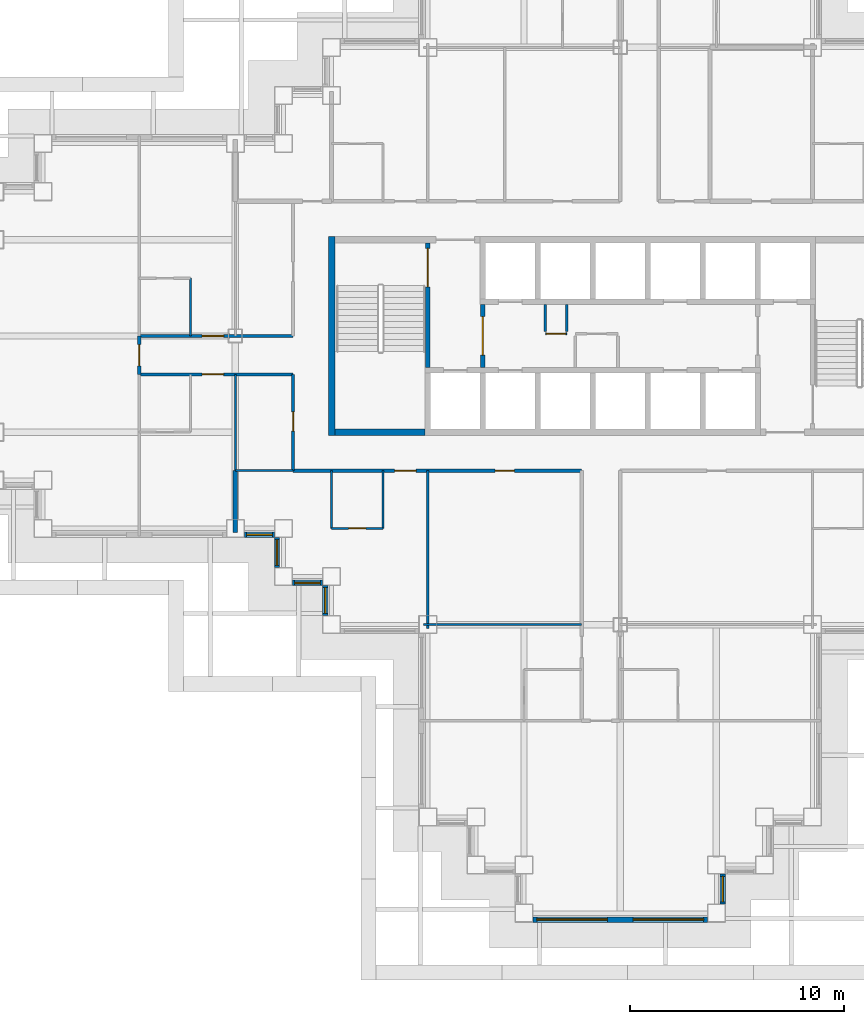
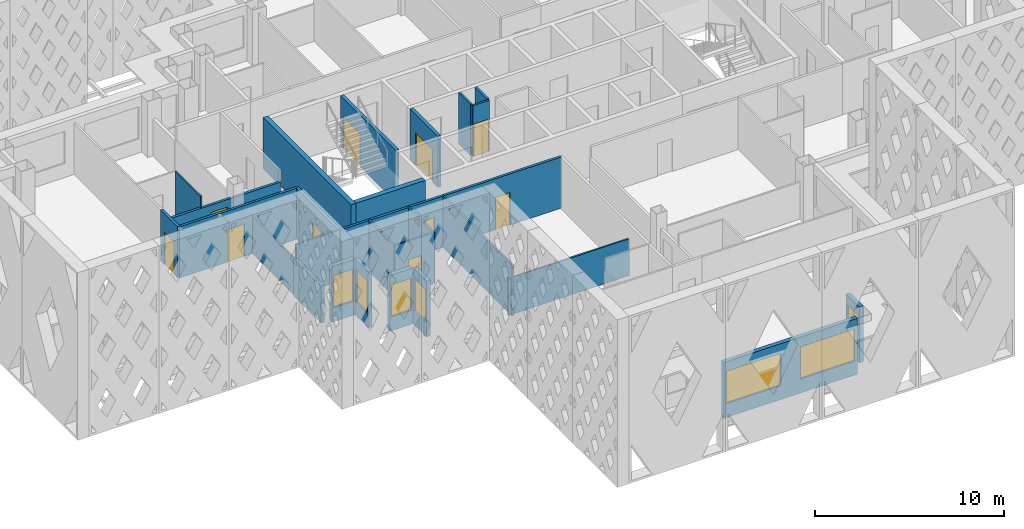
# One storey, part 5 of 21: 27 walls, 10 doors, 7 windows, 17 openings.
"""IFC4 building model written with IfcOpenShell, lengths in metres."""

from ifc_helpers import new_model, si_unit, direction, frame, frame_2d, origin, place, context, subcontext, project, spatial, rectangle, extrude, material, layer, layer_set, type_object, element, fill, save


model = new_model("IFC4")

# Units and contexts
model_context = context("Model", 3, precision=1e-05, world=origin(), true_north=direction((0.0, 1.0)))
body_context = subcontext(model_context, "Body", "Model", "MODEL_VIEW")
ifc_project = project(units=[si_unit("LENGTHUNIT", "METRE"), si_unit("AREAUNIT", "SQUARE_METRE"), si_unit("VOLUMEUNIT", "CUBIC_METRE"), si_unit("PLANEANGLEUNIT", "RADIAN"), si_unit("MASSUNIT", "GRAM", prefix="KILO")], contexts=[model_context])

# Site, building, storey
site_placement = place(None, origin())
site = spatial("IfcSite", under=ifc_project, at=site_placement, CompositionType="ELEMENT")
building_placement = place(site_placement, origin())
building = spatial("IfcBuilding", under=site, at=building_placement, Name="Caravel Reach Hotel and Residences", CompositionType="ELEMENT")
storey_placement = place(building_placement, frame((0.0, 0.0, 129.60009765625)))
storey = spatial("IfcBuildingStorey", under=building, at=storey_placement, Name="L32", CompositionType="ELEMENT", Elevation=129.60009765625)

# Wall, opening, door
ifc_material_1 = material(Name="Gypsum board on steel stud", Category="steel")
ifc_layer_1 = layer(ifc_material_1, 0.10009765625)
ifc_layer_set_1 = layer_set([ifc_layer_1], Name="Bathroom pod wall 100 mm")
wall_type_1 = type_object("IfcWallType", Name="Bathroom pod wall 100 mm", PredefinedType="PARTITIONING", material=ifc_layer_set_1)
wall_1_placement = place(storey_placement, frame((18.0, 18.0, 0.0), z_axis=(0.0, 0.0, 1.0), x_axis=(1.0, 0.0, 0.0)))
wall_1 = element("IfcWall", 1, at=wall_1_placement, inside=storey, type_object=wall_type_1, Name="L32 wall w069", PredefinedType="PARTITIONING", context=body_context, shape_type="SweptSolid", body=[
    extrude(rectangle(XDim=2.39990234375, YDim=0.10009765625, at=frame_2d((1.199951171875, 0.0))), origin(), (0.0, 0.0, 1.0), 3.2998046875),
])
opening_1_placement = place(wall_1_placement, frame((0.800048828125, 0.0, 0.0)))
opening_1 = element("IfcOpeningElement", 2, at=opening_1_placement, cuts=wall_1, Name="Opening D32-047", PredefinedType="OPENING", context=body_context, shape_type="SweptSolid", body=[
    extrude(rectangle(XDim=0.800048828125, YDim=2.10009765625, at=frame_2d((0.39990234375, 1.050048828125))), frame((0.0, 0.06005859375, 0.0), z_axis=(0.0, -1.0, 0.0), x_axis=(1.0, 0.0, 0.0)), (0.0, 0.0, 1.0), 0.1201171875),
])
ifc_material_2 = material(Name="Timber and steel door leaf", Category="steel")
door_type_1 = type_object("IfcDoorType", Name="Bathroom door 800 x 2100", OperationType="SINGLE_SWING_LEFT", PredefinedType="DOOR", material=ifc_material_2)
door_1_placement = place(opening_1_placement, origin())
door_1 = element("IfcDoor", 3, at=door_1_placement, inside=storey, type_object=door_type_1, Name="door D32-047", OperationType="SINGLE_SWING_LEFT", OverallHeight=2.10009765625, OverallWidth=0.800048828125, PredefinedType="DOOR", context=body_context, shape_type="SweptSolid", body=[
    extrude(rectangle(XDim=0.800048828125, YDim=2.10009765625, at=frame_2d((0.39990234375, 1.050048828125))), frame((0.0, 0.02490234375, 0.0), z_axis=(0.0, -1.0, 0.0), x_axis=(1.0, 0.0, 0.0)), (0.0, 0.0, 1.0), 0.050048828125),
])
fill(opening_1, door_1)

# Walls
for number, where, z_axis, x_axis, name in (
    (4, (11.39990234375, 27.0, 0.0), (0.0, 0.0, 1.0), (0.0, 1.0, 0.0), "L32 wall w081"),
    (5, (18.0, 18.0, 0.0), (0.0, 0.0, 1.0), (0.0, 1.0, 0.0), "L32 wall w083"),
    (6, (20.39990234375, 18.0, 0.0), (0.0, 0.0, 1.0), (0.0, 1.0, 0.0), "L32 wall w085"),
):
    element("IfcWall", number, at=place(storey_placement, frame(where, z_axis=z_axis, x_axis=x_axis)), inside=storey, type_object=wall_type_1, Name=name, PredefinedType="PARTITIONING", context=body_context, shape_type="SweptSolid", body=[
        extrude(rectangle(XDim=2.699951171875, YDim=0.10009765625, at=frame_2d((1.35009765625, 0.0))), origin(), (0.0, 0.0, 1.0), 3.2998046875),
    ])
ifc_material_3 = material(Name="Concrete C60", Category="concrete")
ifc_layer_2 = layer(ifc_material_3, 0.300048828125)
ifc_layer_set_2 = layer_set([ifc_layer_2], Name="Core wall 300 mm EI 120")
wall_type_2 = type_object("IfcWallType", Name="Core wall 300 mm EI 120", PredefinedType="SHEAR", material=ifc_layer_set_2)
wall_2_placement = place(storey_placement, frame((18.14990234375, 22.5, 0.0), z_axis=(0.0, 0.0, 1.0), x_axis=(1.0, 0.0, 0.0)))
element("IfcWall", 7, at=wall_2_placement, inside=storey, type_object=wall_type_2, Name="L32 core wall S1", PredefinedType="SHEAR", context=body_context, shape_type="SweptSolid", body=[
    extrude(rectangle(XDim=4.22509765625, YDim=0.300048828125, at=frame_2d((2.112548828125, 0.0))), origin(), (0.0, 0.0, 1.0), 3.2998046875),
])
wall_3_placement = place(storey_placement, frame((18.0, 22.35009765625, 0.0), z_axis=(0.0, 0.0, 1.0), x_axis=(0.0, 1.0, 0.0)))
element("IfcWall", 8, at=wall_3_placement, inside=storey, type_object=wall_type_2, Name="L32 core wall W", PredefinedType="SHEAR", context=body_context, shape_type="SweptSolid", body=[
    extrude(rectangle(XDim=9.2998046875, YDim=0.300048828125, at=frame_2d((4.64990234375, 0.0))), origin(), (0.0, 0.0, 1.0), 3.2998046875),
])

# Wall, openings, doors
ifc_material_4 = material(Name="Gypsum board on steel stud, fire-rated", Category="steel")
ifc_layer_3 = layer(ifc_material_4, 0.14990234375)
ifc_layer_set_3 = layer_set([ifc_layer_3], Name="Corridor wall 150 mm EI 60")
wall_type_3 = type_object("IfcWallType", Name="Corridor wall 150 mm EI 60", PredefinedType="PARTITIONING", material=ifc_layer_set_3)
wall_4_placement = place(storey_placement, frame((16.199951171875, 20.699951171875, 0.0), z_axis=(0.0, 0.0, 1.0), x_axis=(1.0, 0.0, 0.0)))
wall_4 = element("IfcWall", 9, at=wall_4_placement, inside=storey, type_object=wall_type_3, Name="L32 wall w001", PredefinedType="PARTITIONING", context=body_context, shape_type="SweptSolid", body=[
    extrude(rectangle(XDim=13.5, YDim=0.14990234375, at=frame_2d((6.75, 0.0))), origin(), (0.0, 0.0, 1.0), 3.2998046875),
])
opening_2_placement = place(wall_4_placement, frame((4.75, 0.0, 0.0)))
opening_2 = element("IfcOpeningElement", 10, at=opening_2_placement, cuts=wall_4, Name="Opening D32-046", PredefinedType="OPENING", context=body_context, shape_type="SweptSolid", body=[
    extrude(rectangle(XDim=1.0, YDim=2.10009765625, at=frame_2d((0.5, 1.050048828125))), frame((0.0, 0.0849609375, 0.0), z_axis=(0.0, -1.0, 0.0), x_axis=(1.0, 0.0, 0.0)), (0.0, 0.0, 1.0), 0.169921875),
])
opening_3_placement = place(wall_4_placement, frame((9.449951171875, 0.0, 0.0)))
opening_3 = element("IfcOpeningElement", 11, at=opening_3_placement, cuts=wall_4, Name="Opening D32-054", PredefinedType="OPENING", context=body_context, shape_type="SweptSolid", body=[
    extrude(rectangle(XDim=0.89990234375, YDim=2.10009765625, at=frame_2d((0.449951171875, 1.050048828125))), frame((0.0, 0.0849609375, 0.0), z_axis=(0.0, -1.0, 0.0), x_axis=(1.0, 0.0, 0.0)), (0.0, 0.0, 1.0), 0.169921875),
])
ifc_material_5 = material(Name="Timber and steel door leaf", Category="steel")
door_type_2 = type_object("IfcDoorType", Name="Door 900 x 2100 timber", OperationType="SINGLE_SWING_LEFT", PredefinedType="DOOR", material=ifc_material_5)
door_2_placement = place(opening_3_placement, origin())
door_2 = element("IfcDoor", 12, at=door_2_placement, inside=storey, type_object=door_type_2, Name="door D32-054", OperationType="SINGLE_SWING_LEFT", OverallHeight=2.10009765625, OverallWidth=0.89990234375, PredefinedType="DOOR", context=body_context, shape_type="SweptSolid", body=[
    extrude(rectangle(XDim=0.89990234375, YDim=2.10009765625, at=frame_2d((0.449951171875, 1.050048828125))), frame((0.0, 0.02490234375, 0.0), z_axis=(0.0, -1.0, 0.0), x_axis=(1.0, 0.0, 0.0)), (0.0, 0.0, 1.0), 0.050048828125),
])
fill(opening_3, door_2)
ifc_material_6 = material(Name="Steel fire door leaf", Category="steel")
door_type_3 = type_object("IfcDoorType", Name="Guest room door 1000 x 2100 EI 30", OperationType="SINGLE_SWING_LEFT", PredefinedType="DOOR", material=ifc_material_6)
door_3_placement = place(opening_2_placement, origin())
door_3 = element("IfcDoor", 13, at=door_3_placement, inside=storey, type_object=door_type_3, Name="door D32-046", OperationType="SINGLE_SWING_RIGHT", OverallHeight=2.10009765625, OverallWidth=1.0, PredefinedType="DOOR", context=body_context, shape_type="SweptSolid", body=[
    extrude(rectangle(XDim=1.0, YDim=2.10009765625, at=frame_2d((0.5, 1.050048828125))), frame((0.0, 0.02490234375, 0.0), z_axis=(0.0, -1.0, 0.0), x_axis=(1.0, 0.0, 0.0)), (0.0, 0.0, 1.0), 0.050048828125),
])
fill(opening_2, door_3)

# Wall, opening, door
wall_5_placement = place(storey_placement, frame((9.0, 25.199951171875, 0.0), z_axis=(0.0, 0.0, 1.0), x_axis=(1.0, 0.0, 0.0)))
wall_5 = element("IfcWall", 14, at=wall_5_placement, inside=storey, type_object=wall_type_3, Name="L32 wall w005", PredefinedType="PARTITIONING", context=body_context, shape_type="SweptSolid", body=[
    extrude(rectangle(XDim=7.199951171875, YDim=0.14990234375, at=frame_2d((3.60009765625, 0.0))), origin(), (0.0, 0.0, 1.0), 3.2998046875),
])
opening_4_placement = place(wall_5_placement, frame((2.949951171875, 0.0, 0.0)))
opening_4 = element("IfcOpeningElement", 15, at=opening_4_placement, cuts=wall_5, Name="Opening D32-016", PredefinedType="OPENING", context=body_context, shape_type="SweptSolid", body=[
    extrude(rectangle(XDim=1.0, YDim=2.10009765625, at=frame_2d((0.5, 1.050048828125))), frame((0.0, 0.0849609375, 0.0), z_axis=(0.0, -1.0, 0.0), x_axis=(1.0, 0.0, 0.0)), (0.0, 0.0, 1.0), 0.169921875),
])
door_4_placement = place(opening_4_placement, origin())
door_4 = element("IfcDoor", 16, at=door_4_placement, inside=storey, type_object=door_type_3, Name="door D32-016", OperationType="SINGLE_SWING_RIGHT", OverallHeight=2.10009765625, OverallWidth=1.0, PredefinedType="DOOR", context=body_context, shape_type="SweptSolid", body=[
    extrude(rectangle(XDim=1.0, YDim=2.10009765625, at=frame_2d((0.5, 1.050048828125))), frame((0.0, 0.02490234375, 0.0), z_axis=(0.0, -1.0, 0.0), x_axis=(1.0, 0.0, 0.0)), (0.0, 0.0, 1.0), 0.050048828125),
])
fill(opening_4, door_4)

wall_6_placement = place(storey_placement, frame((9.0, 27.0, 0.0), z_axis=(0.0, 0.0, 1.0), x_axis=(1.0, 0.0, 0.0)))
wall_6 = element("IfcWall", 17, at=wall_6_placement, inside=storey, type_object=wall_type_3, Name="L32 wall w009", PredefinedType="PARTITIONING", context=body_context, shape_type="SweptSolid", body=[
    extrude(rectangle(XDim=7.199951171875, YDim=0.14990234375, at=frame_2d((3.60009765625, 0.0))), origin(), (0.0, 0.0, 1.0), 2.579833984375),
])
opening_5_placement = place(wall_6_placement, frame((2.949951171875, 0.0, 0.0)))
opening_5 = element("IfcOpeningElement", 18, at=opening_5_placement, cuts=wall_6, Name="Opening D32-018", PredefinedType="OPENING", context=body_context, shape_type="SweptSolid", body=[
    extrude(rectangle(XDim=1.0, YDim=2.10009765625, at=frame_2d((0.5, 1.050048828125))), frame((0.0, 0.0849609375, 0.0), z_axis=(0.0, -1.0, 0.0), x_axis=(1.0, 0.0, 0.0)), (0.0, 0.0, 1.0), 0.169921875),
])
door_5_placement = place(opening_5_placement, origin())
door_5 = element("IfcDoor", 19, at=door_5_placement, inside=storey, type_object=door_type_3, Name="door D32-018", OperationType="SINGLE_SWING_RIGHT", OverallHeight=2.10009765625, OverallWidth=1.0, PredefinedType="DOOR", context=body_context, shape_type="SweptSolid", body=[
    extrude(rectangle(XDim=1.0, YDim=2.10009765625, at=frame_2d((0.5, 1.050048828125))), frame((0.0, 0.02490234375, 0.0), z_axis=(0.0, -1.0, 0.0), x_axis=(1.0, 0.0, 0.0)), (0.0, 0.0, 1.0), 0.050048828125),
])
fill(opening_5, door_5)

wall_7_placement = place(storey_placement, frame((16.199951171875, 20.699951171875, 0.0), z_axis=(0.0, 0.0, 1.0), x_axis=(0.0, 1.0, 0.0)))
wall_7 = element("IfcWall", 20, at=wall_7_placement, inside=storey, type_object=wall_type_3, Name="L32 wall w024", PredefinedType="PARTITIONING", context=body_context, shape_type="SweptSolid", body=[
    extrude(rectangle(XDim=4.5, YDim=0.14990234375, at=frame_2d((2.25, 0.0))), origin(), (0.0, 0.0, 1.0), 3.2998046875),
])
opening_6_placement = place(wall_7_placement, frame((1.85009765625, 0.0, 0.0)))
opening_6 = element("IfcOpeningElement", 21, at=opening_6_placement, cuts=wall_7, Name="Opening D32-056", PredefinedType="OPENING", context=body_context, shape_type="SweptSolid", body=[
    extrude(rectangle(XDim=0.89990234375, YDim=2.10009765625, at=frame_2d((0.449951171875, 1.050048828125))), frame((0.0, 0.0849609375, 0.0), z_axis=(0.0, -1.0, 0.0), x_axis=(1.0, 0.0, 0.0)), (0.0, 0.0, 1.0), 0.169921875),
])
door_6_placement = place(opening_6_placement, origin())
door_6 = element("IfcDoor", 22, at=door_6_placement, inside=storey, type_object=door_type_2, Name="door D32-056", OperationType="SINGLE_SWING_LEFT", OverallHeight=2.10009765625, OverallWidth=0.89990234375, PredefinedType="DOOR", context=body_context, shape_type="SweptSolid", body=[
    extrude(rectangle(XDim=0.89990234375, YDim=2.10009765625, at=frame_2d((0.449951171875, 1.050048828125))), frame((0.0, 0.02490234375, 0.0), z_axis=(0.0, -1.0, 0.0), x_axis=(1.0, 0.0, 0.0)), (0.0, 0.0, 1.0), 0.050048828125),
])
fill(opening_6, door_6)

wall_8_placement = place(storey_placement, frame((9.0, 25.199951171875, 0.0), z_axis=(0.0, 0.0, 1.0), x_axis=(0.0, 1.0, 0.0)))
wall_8 = element("IfcWall", 23, at=wall_8_placement, inside=storey, type_object=wall_type_3, Name="L32 wall w036", PredefinedType="PARTITIONING", context=body_context, shape_type="SweptSolid", body=[
    extrude(rectangle(XDim=1.800048828125, YDim=0.14990234375, at=frame_2d((0.89990234375, 0.0))), origin(), (0.0, 0.0, 1.0), 3.2998046875),
])
opening_7_placement = place(wall_8_placement, frame((0.39990234375, 0.0, 0.0)))
opening_7 = element("IfcOpeningElement", 24, at=opening_7_placement, cuts=wall_8, Name="Opening D32-036", PredefinedType="OPENING", context=body_context, shape_type="SweptSolid", body=[
    extrude(rectangle(XDim=1.0, YDim=2.10009765625, at=frame_2d((0.5, 1.050048828125))), frame((0.0, 0.0849609375, 0.0), z_axis=(0.0, -1.0, 0.0), x_axis=(1.0, 0.0, 0.0)), (0.0, 0.0, 1.0), 0.169921875),
])
door_7_placement = place(opening_7_placement, origin())
door_7 = element("IfcDoor", 25, at=door_7_placement, inside=storey, type_object=door_type_3, Name="door D32-036", OperationType="SINGLE_SWING_RIGHT", OverallHeight=2.10009765625, OverallWidth=1.0, PredefinedType="DOOR", context=body_context, shape_type="SweptSolid", body=[
    extrude(rectangle(XDim=1.0, YDim=2.10009765625, at=frame_2d((0.5, 1.050048828125))), frame((0.0, 0.02490234375, 0.0), z_axis=(0.0, -1.0, 0.0), x_axis=(1.0, 0.0, 0.0)), (0.0, 0.0, 1.0), 0.050048828125),
])
fill(opening_7, door_7)

# Wall, openings, windows
ifc_material_7 = material(Name="Insulated rainscreen wall, aluminium cladding", Category="aluminium")
ifc_layer_4 = layer(ifc_material_7, 0.25)
ifc_layer_set_4 = layer_set([ifc_layer_4], Name="EW1 Tower rainscreen wall")
wall_type_4 = type_object("IfcWallType", Name="EW1 Tower rainscreen wall", PredefinedType="SOLIDWALL", material=ifc_layer_set_4)
wall_9_placement = place(storey_placement, frame((27.425048828125, -0.300048828125, 0.0), z_axis=(0.0, 0.0, 1.0), x_axis=(1.0, 0.0, 0.0)))
wall_9 = element("IfcWall", 26, at=wall_9_placement, inside=storey, type_object=wall_type_4, Name="External wall L32 S5.1", PredefinedType="SOLIDWALL", context=body_context, shape_type="SweptSolid", body=[
    extrude(rectangle(XDim=8.14990234375, YDim=0.25, at=frame_2d((4.074951171875, 0.0))), origin(), (0.0, 0.0, 1.0), 3.599853515625),
])
opening_8_placement = place(wall_9_placement, frame((0.175048828125, 0.0, 0.89990234375)))
opening_8 = element("IfcOpeningElement", 27, at=opening_8_placement, cuts=wall_9, Name="Opening WN4", PredefinedType="OPENING", context=body_context, shape_type="SweptSolid", body=[
    extrude(rectangle(XDim=3.300048828125, YDim=2.080078125, at=frame_2d((1.64990234375, 1.0400390625))), frame((0.0, 0.135009765625, 0.0), z_axis=(0.0, -1.0, 0.0), x_axis=(1.0, 0.0, 0.0)), (0.0, 0.0, 1.0), 0.27001953125),
])
opening_9_placement = place(wall_9_placement, frame((4.675048828125, 0.0, 0.89990234375)))
opening_9 = element("IfcOpeningElement", 28, at=opening_9_placement, cuts=wall_9, Name="Opening WN4", PredefinedType="OPENING", context=body_context, shape_type="SweptSolid", body=[
    extrude(rectangle(XDim=3.300048828125, YDim=2.080078125, at=frame_2d((1.64990234375, 1.0400390625))), frame((0.0, 0.135009765625, 0.0), z_axis=(0.0, -1.0, 0.0), x_axis=(1.0, 0.0, 0.0)), (0.0, 0.0, 1.0), 0.27001953125),
])
ifc_material_8 = material(Name="Dark low-e glazing in black aluminium frame", Category="aluminium")
window_type_1 = type_object("IfcWindowType", Name="Hotel guest room window 3300 x 2080", PartitioningType="SINGLE_PANEL", PredefinedType="WINDOW", material=ifc_material_8)
window_1_placement = place(opening_8_placement, origin())
window_1 = element("IfcWindow", 29, at=window_1_placement, inside=storey, type_object=window_type_1, Name="Window L32 S5.1.1", OverallHeight=2.080078125, OverallWidth=3.300048828125, PartitioningType="SINGLE_PANEL", PredefinedType="WINDOW", context=body_context, shape_type="SweptSolid", body=[
    extrude(rectangle(XDim=3.300048828125, YDim=2.080078125, at=frame_2d((1.64990234375, 1.0400390625))), frame((0.0, 0.030029296875, 0.0), z_axis=(0.0, -1.0, 0.0), x_axis=(1.0, 0.0, 0.0)), (0.0, 0.0, 1.0), 0.06005859375),
])
fill(opening_8, window_1)
window_2_placement = place(opening_9_placement, origin())
window_2 = element("IfcWindow", 30, at=window_2_placement, inside=storey, type_object=window_type_1, Name="Window L32 S5.1.2", OverallHeight=2.080078125, OverallWidth=3.300048828125, PartitioningType="SINGLE_PANEL", PredefinedType="WINDOW", context=body_context, shape_type="SweptSolid", body=[
    extrude(rectangle(XDim=3.300048828125, YDim=2.080078125, at=frame_2d((1.64990234375, 1.0400390625))), frame((0.0, 0.030029296875, 0.0), z_axis=(0.0, -1.0, 0.0), x_axis=(1.0, 0.0, 0.0)), (0.0, 0.0, 1.0), 0.06005859375),
])
fill(opening_9, window_2)

# Wall, opening, window
wall_10_placement = place(storey_placement, frame((36.300048828125, 0.425048828125, 0.0), z_axis=(0.0, 0.0, 1.0), x_axis=(0.0, 1.0, 0.0)))
wall_10 = element("IfcWall", 31, at=wall_10_placement, inside=storey, type_object=wall_type_4, Name="External wall L32 E6.1", PredefinedType="SOLIDWALL", context=body_context, shape_type="SweptSolid", body=[
    extrude(rectangle(XDim=1.39990234375, YDim=0.25, at=frame_2d((0.699951171875, 0.0))), origin(), (0.0, 0.0, 1.0), 3.599853515625),
])
opening_10_placement = place(wall_10_placement, frame((0.10009765625, 0.0, 0.89990234375)))
opening_10 = element("IfcOpeningElement", 32, at=opening_10_placement, cuts=wall_10, Name="Opening WN9", PredefinedType="OPENING", context=body_context, shape_type="SweptSolid", body=[
    extrude(rectangle(XDim=1.199951171875, YDim=2.080078125, at=frame_2d((0.60009765625, 1.0400390625))), frame((0.0, 0.135009765625, 0.0), z_axis=(0.0, -1.0, 0.0), x_axis=(1.0, 0.0, 0.0)), (0.0, 0.0, 1.0), 0.27001953125),
])
ifc_material_9 = material(Name="Dark low-e glazing in black aluminium frame", Category="aluminium")
window_type_2 = type_object("IfcWindowType", Name="Hotel suite corner window 1200 x 2080", PartitioningType="SINGLE_PANEL", PredefinedType="WINDOW", material=ifc_material_9)
window_3_placement = place(opening_10_placement, origin())
window_3 = element("IfcWindow", 33, at=window_3_placement, inside=storey, type_object=window_type_2, Name="Window L32 E6.1.1", OverallHeight=2.080078125, OverallWidth=1.199951171875, PartitioningType="SINGLE_PANEL", PredefinedType="WINDOW", context=body_context, shape_type="SweptSolid", body=[
    extrude(rectangle(XDim=1.199951171875, YDim=2.080078125, at=frame_2d((0.60009765625, 1.0400390625))), frame((0.0, 0.030029296875, 0.0), z_axis=(0.0, -1.0, 0.0), x_axis=(1.0, 0.0, 0.0)), (0.0, 0.0, 1.0), 0.06005859375),
])
fill(opening_10, window_3)

wall_11_placement = place(storey_placement, frame((13.925048828125, 17.699951171875, 0.0), z_axis=(0.0, 0.0, 1.0), x_axis=(1.0, 0.0, 0.0)))
wall_11 = element("IfcWall", 34, at=wall_11_placement, inside=storey, type_object=wall_type_4, Name="External wall L32 S55.2", PredefinedType="SOLIDWALL", context=body_context, shape_type="SweptSolid", body=[
    extrude(rectangle(XDim=1.39990234375, YDim=0.25, at=frame_2d((0.699951171875, 0.0))), origin(), (0.0, 0.0, 1.0), 3.599853515625),
])
opening_11_placement = place(wall_11_placement, frame((0.10009765625, 0.0, 0.89990234375)))
opening_11 = element("IfcOpeningElement", 35, at=opening_11_placement, cuts=wall_11, Name="Opening WN9", PredefinedType="OPENING", context=body_context, shape_type="SweptSolid", body=[
    extrude(rectangle(XDim=1.199951171875, YDim=2.080078125, at=frame_2d((0.60009765625, 1.0400390625))), frame((0.0, 0.135009765625, 0.0), z_axis=(0.0, -1.0, 0.0), x_axis=(1.0, 0.0, 0.0)), (0.0, 0.0, 1.0), 0.27001953125),
])
window_4_placement = place(opening_11_placement, origin())
window_4 = element("IfcWindow", 36, at=window_4_placement, inside=storey, type_object=window_type_2, Name="Window L32 S55.2.1", OverallHeight=2.080078125, OverallWidth=1.199951171875, PartitioningType="SINGLE_PANEL", PredefinedType="WINDOW", context=body_context, shape_type="SweptSolid", body=[
    extrude(rectangle(XDim=1.199951171875, YDim=2.080078125, at=frame_2d((0.60009765625, 1.0400390625))), frame((0.0, 0.030029296875, 0.0), z_axis=(0.0, -1.0, 0.0), x_axis=(1.0, 0.0, 0.0)), (0.0, 0.0, 1.0), 0.06005859375),
])
fill(opening_11, window_4)

wall_12_placement = place(storey_placement, frame((15.449951171875, 17.574951171875, 0.0), z_axis=(0.0, 0.0, 1.0), x_axis=(0.0, -1.0, 0.0)))
wall_12 = element("IfcWall", 37, at=wall_12_placement, inside=storey, type_object=wall_type_4, Name="External wall L32 W56.1", PredefinedType="SOLIDWALL", context=body_context, shape_type="SweptSolid", body=[
    extrude(rectangle(XDim=1.39990234375, YDim=0.25, at=frame_2d((0.699951171875, 0.0))), origin(), (0.0, 0.0, 1.0), 3.599853515625),
])
opening_12_placement = place(wall_12_placement, frame((0.10009765625, 0.0, 0.89990234375)))
opening_12 = element("IfcOpeningElement", 38, at=opening_12_placement, cuts=wall_12, Name="Opening WN9", PredefinedType="OPENING", context=body_context, shape_type="SweptSolid", body=[
    extrude(rectangle(XDim=1.199951171875, YDim=2.080078125, at=frame_2d((0.60009765625, 1.0400390625))), frame((0.0, 0.135009765625, 0.0), z_axis=(0.0, -1.0, 0.0), x_axis=(1.0, 0.0, 0.0)), (0.0, 0.0, 1.0), 0.27001953125),
])
window_5_placement = place(opening_12_placement, origin())
window_5 = element("IfcWindow", 39, at=window_5_placement, inside=storey, type_object=window_type_2, Name="Window L32 W56.1.1", OverallHeight=2.080078125, OverallWidth=1.199951171875, PartitioningType="SINGLE_PANEL", PredefinedType="WINDOW", context=body_context, shape_type="SweptSolid", body=[
    extrude(rectangle(XDim=1.199951171875, YDim=2.080078125, at=frame_2d((0.60009765625, 1.0400390625))), frame((0.0, 0.030029296875, 0.0), z_axis=(0.0, -1.0, 0.0), x_axis=(1.0, 0.0, 0.0)), (0.0, 0.0, 1.0), 0.06005859375),
])
fill(opening_12, window_5)

wall_13_placement = place(storey_placement, frame((16.175048828125, 15.449951171875, 0.0), z_axis=(0.0, 0.0, 1.0), x_axis=(1.0, 0.0, 0.0)))
wall_13 = element("IfcWall", 40, at=wall_13_placement, inside=storey, type_object=wall_type_4, Name="External wall L32 S57.1", PredefinedType="SOLIDWALL", context=body_context, shape_type="SweptSolid", body=[
    extrude(rectangle(XDim=1.39990234375, YDim=0.25, at=frame_2d((0.699951171875, 0.0))), origin(), (0.0, 0.0, 1.0), 3.599853515625),
])
opening_13_placement = place(wall_13_placement, frame((0.10009765625, 0.0, 0.89990234375)))
opening_13 = element("IfcOpeningElement", 41, at=opening_13_placement, cuts=wall_13, Name="Opening WN9", PredefinedType="OPENING", context=body_context, shape_type="SweptSolid", body=[
    extrude(rectangle(XDim=1.199951171875, YDim=2.080078125, at=frame_2d((0.60009765625, 1.0400390625))), frame((0.0, 0.135009765625, 0.0), z_axis=(0.0, -1.0, 0.0), x_axis=(1.0, 0.0, 0.0)), (0.0, 0.0, 1.0), 0.27001953125),
])
window_6_placement = place(opening_13_placement, origin())
window_6 = element("IfcWindow", 42, at=window_6_placement, inside=storey, type_object=window_type_2, Name="Window L32 S57.1.1", OverallHeight=2.080078125, OverallWidth=1.199951171875, PartitioningType="SINGLE_PANEL", PredefinedType="WINDOW", context=body_context, shape_type="SweptSolid", body=[
    extrude(rectangle(XDim=1.199951171875, YDim=2.080078125, at=frame_2d((0.60009765625, 1.0400390625))), frame((0.0, 0.030029296875, 0.0), z_axis=(0.0, -1.0, 0.0), x_axis=(1.0, 0.0, 0.0)), (0.0, 0.0, 1.0), 0.06005859375),
])
fill(opening_13, window_6)

wall_14_placement = place(storey_placement, frame((17.699951171875, 15.324951171875, 0.0), z_axis=(0.0, 0.0, 1.0), x_axis=(0.0, -1.0, 0.0)))
wall_14 = element("IfcWall", 43, at=wall_14_placement, inside=storey, type_object=wall_type_4, Name="External wall L32 W58.1", PredefinedType="SOLIDWALL", context=body_context, shape_type="SweptSolid", body=[
    extrude(rectangle(XDim=1.39990234375, YDim=0.25, at=frame_2d((0.699951171875, 0.0))), origin(), (0.0, 0.0, 1.0), 3.599853515625),
])
opening_14_placement = place(wall_14_placement, frame((0.10009765625, 0.0, 0.89990234375)))
opening_14 = element("IfcOpeningElement", 44, at=opening_14_placement, cuts=wall_14, Name="Opening WN9", PredefinedType="OPENING", context=body_context, shape_type="SweptSolid", body=[
    extrude(rectangle(XDim=1.199951171875, YDim=2.080078125, at=frame_2d((0.60009765625, 1.0400390625))), frame((0.0, 0.135009765625, 0.0), z_axis=(0.0, -1.0, 0.0), x_axis=(1.0, 0.0, 0.0)), (0.0, 0.0, 1.0), 0.27001953125),
])
window_7_placement = place(opening_14_placement, origin())
window_7 = element("IfcWindow", 45, at=window_7_placement, inside=storey, type_object=window_type_2, Name="Window L32 W58.1.1", OverallHeight=2.080078125, OverallWidth=1.199951171875, PartitioningType="SINGLE_PANEL", PredefinedType="WINDOW", context=body_context, shape_type="SweptSolid", body=[
    extrude(rectangle(XDim=1.199951171875, YDim=2.080078125, at=frame_2d((0.60009765625, 1.0400390625))), frame((0.0, 0.030029296875, 0.0), z_axis=(0.0, -1.0, 0.0), x_axis=(1.0, 0.0, 0.0)), (0.0, 0.0, 1.0), 0.06005859375),
])
fill(opening_14, window_7)

# Wall, opening, door
ifc_material_10 = material(Name="Autoclaved aerated block wall")
ifc_layer_5 = layer(ifc_material_10, 0.199951171875)
ifc_layer_set_5 = layer_set([ifc_layer_5], Name="Fire lobby wall 200 mm EI 120")
wall_type_5 = type_object("IfcWallType", Name="Fire lobby wall 200 mm EI 120", PredefinedType="PARTITIONING", material=ifc_layer_set_5)
wall_15_placement = place(storey_placement, frame((25.071533203125, 25.52490234375, 0.0), z_axis=(0.0, 0.0, 1.0), x_axis=(0.0, 1.0, 0.0)))
wall_15 = element("IfcWall", 46, at=wall_15_placement, inside=storey, type_object=wall_type_5, Name="L32 lobby W wall", PredefinedType="PARTITIONING", context=body_context, shape_type="SweptSolid", body=[
    extrude(rectangle(XDim=2.9501953125, YDim=0.199951171875, at=frame_2d((1.47509765625, 0.0))), origin(), (0.0, 0.0, 1.0), 3.2998046875),
])
opening_15_placement = place(wall_15_placement, frame((0.574951171875, 0.0, 0.0)))
opening_15 = element("IfcOpeningElement", 47, at=opening_15_placement, cuts=wall_15, Name="Opening D32-012", PredefinedType="OPENING", context=body_context, shape_type="SweptSolid", body=[
    extrude(rectangle(XDim=1.800048828125, YDim=2.10009765625, at=frame_2d((0.89990234375, 1.050048828125))), frame((0.0, 0.10986328125, 0.0), z_axis=(0.0, -1.0, 0.0), x_axis=(1.0, 0.0, 0.0)), (0.0, 0.0, 1.0), 0.219970703125),
])
ifc_material_11 = material(Name="Steel fire door leaf", Category="steel")
door_type_4 = type_object("IfcDoorType", Name="Fire lobby door pair 1800 x 2100 EI 90", OperationType="DOUBLE_DOOR_SINGLE_SWING", PredefinedType="DOOR", material=ifc_material_11)
door_8_placement = place(opening_15_placement, origin())
door_8 = element("IfcDoor", 48, at=door_8_placement, inside=storey, type_object=door_type_4, Name="lobby W door pair", OperationType="DOUBLE_DOOR_SINGLE_SWING", OverallHeight=2.10009765625, OverallWidth=1.800048828125, PredefinedType="DOOR", context=body_context, shape_type="SweptSolid", body=[
    extrude(rectangle(XDim=1.800048828125, YDim=2.10009765625, at=frame_2d((0.89990234375, 1.050048828125))), frame((0.0, 0.02490234375, 0.0), z_axis=(0.0, -1.0, 0.0), x_axis=(1.0, 0.0, 0.0)), (0.0, 0.0, 1.0), 0.050048828125),
])
fill(opening_15, door_8)

# Walls
ifc_material_12 = material(Name="Gypsum board on steel stud", Category="steel")
ifc_layer_6 = layer(ifc_material_12, 0.10009765625)
ifc_layer_set_6 = layer_set([ifc_layer_6], Name="Partition 100 mm")
wall_type_6 = type_object("IfcWallType", Name="Partition 100 mm", PredefinedType="PARTITIONING", material=ifc_layer_set_6)
wall_16_placement = place(storey_placement, frame((22.31005859375, 13.5, 0.0), z_axis=(0.0, 0.0, 1.0), x_axis=(1.0, 0.0, 0.0)))
element("IfcWall", 49, at=wall_16_placement, inside=storey, type_object=wall_type_6, Name="L32 wall w038", PredefinedType="PARTITIONING", context=body_context, shape_type="SweptSolid", body=[
    extrude(rectangle(XDim=7.389892578125, YDim=0.10009765625, at=frame_2d((3.69482421875, 0.0))), origin(), (0.0, 0.0, 1.0), 2.3798828125),
])
wall_17_placement = place(storey_placement, frame((13.5, 20.699951171875, 0.0), z_axis=(0.0, 0.0, 1.0), x_axis=(1.0, 0.0, 0.0)))
element("IfcWall", 50, at=wall_17_placement, inside=storey, type_object=wall_type_6, Name="L32 wall w039", PredefinedType="PARTITIONING", context=body_context, shape_type="SweptSolid", body=[
    extrude(rectangle(XDim=2.699951171875, YDim=0.10009765625, at=frame_2d((1.35009765625, 0.0))), origin(), (0.0, 0.0, 1.0), 3.2998046875),
])
wall_18_placement = place(storey_placement, frame((13.5, 20.699951171875, 0.0), z_axis=(0.0, 0.0, 1.0), x_axis=(0.0, 1.0, 0.0)))
element("IfcWall", 51, at=wall_18_placement, inside=storey, type_object=wall_type_6, Name="L32 wall w050", PredefinedType="PARTITIONING", context=body_context, shape_type="SweptSolid", body=[
    extrude(rectangle(XDim=4.5, YDim=0.10009765625, at=frame_2d((2.25, 0.0))), origin(), (0.0, 0.0, 1.0), 2.3798828125),
])
wall_19_placement = place(storey_placement, frame((22.5, 13.31005859375, 0.0), z_axis=(0.0, 0.0, 1.0), x_axis=(0.0, 1.0, 0.0)))
element("IfcWall", 52, at=wall_19_placement, inside=storey, type_object=wall_type_6, Name="L32 wall w052", PredefinedType="PARTITIONING", context=body_context, shape_type="SweptSolid", body=[
    extrude(rectangle(XDim=7.389892578125, YDim=0.10009765625, at=frame_2d((3.69482421875, 0.0))), origin(), (0.0, 0.0, 1.0), 3.2998046875),
])
ifc_material_13 = material(Name="Autoclaved aerated block wall")
ifc_layer_7 = layer(ifc_material_13, 0.199951171875)
ifc_layer_set_7 = layer_set([ifc_layer_7], Name="Party wall 200 mm EI 60")
wall_type_7 = type_object("IfcWallType", Name="Party wall 200 mm EI 60", PredefinedType="PARTITIONING", material=ifc_layer_set_7)
wall_20_placement = place(storey_placement, frame((13.5, 17.81005859375, 0.0), z_axis=(0.0, 0.0, 1.0), x_axis=(0.0, 1.0, 0.0)))
element("IfcWall", 53, at=wall_20_placement, inside=storey, type_object=wall_type_7, Name="L32 wall w063", PredefinedType="PARTITIONING", context=body_context, shape_type="SweptSolid", body=[
    extrude(rectangle(XDim=2.889892578125, YDim=0.199951171875, at=frame_2d((1.44482421875, 0.0))), origin(), (0.0, 0.0, 1.0), 2.3798828125),
])

# Wall, opening, door
ifc_material_14 = material(Name="Autoclaved aerated block wall")
ifc_layer_8 = layer(ifc_material_14, 0.125)
ifc_layer_set_8 = layer_set([ifc_layer_8], Name="Riser wall 125 mm EI 60")
wall_type_8 = type_object("IfcWallType", Name="Riser wall 125 mm EI 60", PredefinedType="PARTITIONING", material=ifc_layer_set_8)
wall_21_placement = place(storey_placement, frame((28.0, 27.10009765625, 0.0), z_axis=(0.0, 0.0, 1.0), x_axis=(1.0, 0.0, 0.0)))
wall_21 = element("IfcWall", 54, at=wall_21_placement, inside=storey, type_object=wall_type_8, Name="L32 service room wall N1", PredefinedType="PARTITIONING", context=body_context, shape_type="SweptSolid", body=[
    extrude(rectangle(XDim=1.0, YDim=0.125, at=frame_2d((0.5, 0.0))), origin(), (0.0, 0.0, 1.0), 3.2998046875),
])
opening_16_placement = place(wall_21_placement, frame((0.050048828125, 0.0, 0.0)))
opening_16 = element("IfcOpeningElement", 55, at=opening_16_placement, cuts=wall_21, Name="Opening D32-009", PredefinedType="OPENING", context=body_context, shape_type="SweptSolid", body=[
    extrude(rectangle(XDim=0.89990234375, YDim=2.10009765625, at=frame_2d((0.449951171875, 1.050048828125))), frame((0.0, 0.072509765625, 0.0), z_axis=(0.0, -1.0, 0.0), x_axis=(1.0, 0.0, 0.0)), (0.0, 0.0, 1.0), 0.14501953125),
])
ifc_material_15 = material(Name="Steel fire door leaf", Category="steel")
door_type_5 = type_object("IfcDoorType", Name="Riser door 900 x 2100 EI 60", OperationType="SINGLE_SWING_LEFT", PredefinedType="DOOR", material=ifc_material_15)
door_9_placement = place(opening_16_placement, origin())
door_9 = element("IfcDoor", 56, at=door_9_placement, inside=storey, type_object=door_type_5, Name="Laundry store door", OperationType="SINGLE_SWING_LEFT", OverallHeight=2.10009765625, OverallWidth=0.89990234375, PredefinedType="DOOR", context=body_context, shape_type="SweptSolid", body=[
    extrude(rectangle(XDim=0.89990234375, YDim=2.10009765625, at=frame_2d((0.449951171875, 1.050048828125))), frame((0.0, 0.02490234375, 0.0), z_axis=(0.0, -1.0, 0.0), x_axis=(1.0, 0.0, 0.0)), (0.0, 0.0, 1.0), 0.050048828125),
])
fill(opening_16, door_9)

# Walls
for number, where, z_axis, x_axis, name in (
    (57, (28.0, 28.47509765625, 0.0), (0.0, 0.0, 1.0), (0.0, -1.0, 0.0), "L32 service room partition N1"),
    (58, (29.0, 28.47509765625, 0.0), (0.0, 0.0, 1.0), (0.0, -1.0, 0.0), "L32 service room partition N1"),
):
    element("IfcWall", number, at=place(storey_placement, frame(where, z_axis=z_axis, x_axis=x_axis)), inside=storey, type_object=wall_type_8, Name=name, PredefinedType="PARTITIONING", context=body_context, shape_type="SweptSolid", body=[
        extrude(rectangle(XDim=1.275146484375, YDim=0.125, at=frame_2d((0.6376953125, 0.0))), origin(), (0.0, 0.0, 1.0), 3.2998046875),
    ])

# Wall, opening, door
ifc_material_16 = material(Name="Concrete C60", Category="concrete")
ifc_layer_9 = layer(ifc_material_16, 0.199951171875)
ifc_layer_set_9 = layer_set([ifc_layer_9], Name="Stair enclosure wall 200 mm EI 120")
wall_type_9 = type_object("IfcWallType", Name="Stair enclosure wall 200 mm EI 120", PredefinedType="SHEAR", material=ifc_layer_set_9)
wall_22_placement = place(storey_placement, frame((22.5, 31.35009765625, 0.0), z_axis=(0.0, 0.0, 1.0), x_axis=(0.0, -1.0, 0.0)))
wall_22 = element("IfcWall", 59, at=wall_22_placement, inside=storey, type_object=wall_type_9, Name="L32 stair A wall", PredefinedType="SHEAR", context=body_context, shape_type="SweptSolid", body=[
    extrude(rectangle(XDim=5.8251953125, YDim=0.199951171875, at=frame_2d((2.91259765625, 0.0))), origin(), (0.0, 0.0, 1.0), 3.2998046875),
])
opening_17_placement = place(wall_22_placement, frame((0.25, 0.0, 0.0)))
opening_17 = element("IfcOpeningElement", 60, at=opening_17_placement, cuts=wall_22, Name="Opening D32-010", PredefinedType="OPENING", context=body_context, shape_type="SweptSolid", body=[
    extrude(rectangle(XDim=1.800048828125, YDim=2.10009765625, at=frame_2d((0.89990234375, 1.050048828125))), frame((0.0, 0.10986328125, 0.0), z_axis=(0.0, -1.0, 0.0), x_axis=(1.0, 0.0, 0.0)), (0.0, 0.0, 1.0), 0.219970703125),
])
ifc_material_17 = material(Name="Steel fire door leaf", Category="steel")
door_type_6 = type_object("IfcDoorType", Name="Stair door pair 1800 x 2100 EI 90", OperationType="DOUBLE_DOOR_SINGLE_SWING", PredefinedType="DOOR", material=ifc_material_17)
door_10_placement = place(opening_17_placement, origin())
door_10 = element("IfcDoor", 61, at=door_10_placement, inside=storey, type_object=door_type_6, Name="stair A door pair", OperationType="DOUBLE_DOOR_SINGLE_SWING", OverallHeight=2.10009765625, OverallWidth=1.800048828125, PredefinedType="DOOR", context=body_context, shape_type="SweptSolid", body=[
    extrude(rectangle(XDim=1.800048828125, YDim=2.10009765625, at=frame_2d((0.89990234375, 1.050048828125))), frame((0.0, 0.02490234375, 0.0), z_axis=(0.0, -1.0, 0.0), x_axis=(1.0, 0.0, 0.0)), (0.0, 0.0, 1.0), 0.050048828125),
])
fill(opening_17, door_10)

save(model, "model.ifc")
